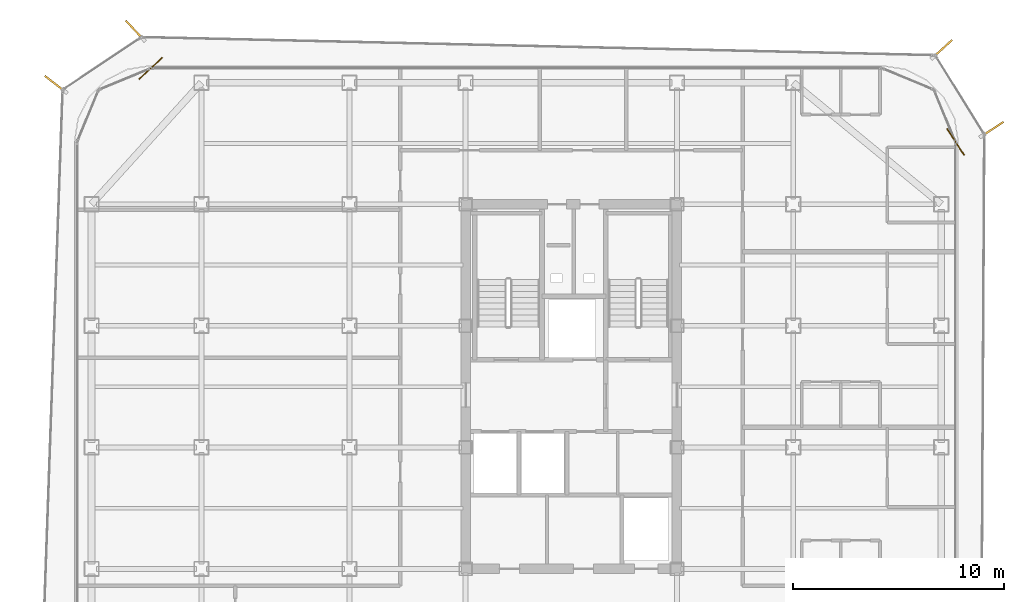
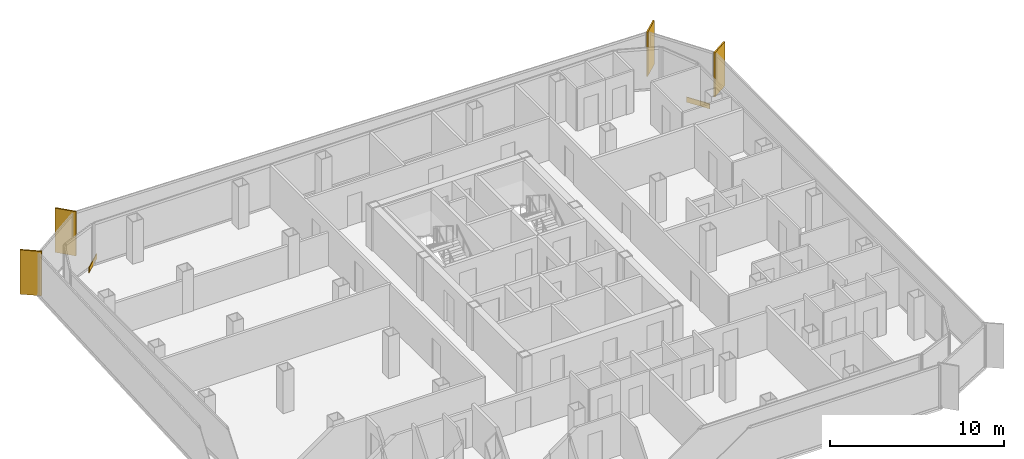
# One storey, part 16 of 16: 4 shading devices, 2 coverings.
"""IFC4 building model written with IfcOpenShell, lengths in metres."""

from ifc_helpers import new_model, si_unit, direction, frame, origin, origin_2d, place, context, subcontext, project, spatial, rectangle, extrude, source, transform, mapped, material, layer, layer_set, type_object, element, save


model = new_model("IFC4")

# Units and contexts
model_context = context("Model", 3, precision=1e-05, world=origin(), true_north=direction((0.0, 1.0)))
body_context = subcontext(model_context, "Body", "Model", "MODEL_VIEW")
ifc_project = project(units=[si_unit("LENGTHUNIT", "METRE"), si_unit("AREAUNIT", "SQUARE_METRE"), si_unit("VOLUMEUNIT", "CUBIC_METRE"), si_unit("PLANEANGLEUNIT", "RADIAN"), si_unit("MASSUNIT", "GRAM", prefix="KILO")], contexts=[model_context])

# Site, building, storey
site_placement = place(None, origin())
site = spatial("IfcSite", under=ifc_project, at=site_placement, CompositionType="ELEMENT")
building_placement = place(site_placement, origin())
building = spatial("IfcBuilding", under=site, at=building_placement, Name="Kolveth Station Tower", CompositionType="ELEMENT")
storey_placement = place(building_placement, frame((0.0, 0.0, 178.5)))
storey = spatial("IfcBuildingStorey", under=building, at=storey_placement, Name="L50", CompositionType="ELEMENT", Elevation=178.5)

# Shading devices
ifc_material_1 = material(Name="Black anodized aluminium 6063-T6", Category="aluminium")
shading_device_type = type_object("IfcShadingDeviceType", Name="FIN_VF1", PredefinedType="USERDEFINED", material=ifc_material_1)
shared_shape_1 = source(origin(), body_context, "Body", "SweptSolid", [
    extrude(rectangle(XDim=1.25, YDim=0.090087890625, at=origin_2d()), origin(), (0.0, 0.0, 1.0), 3.10009765625),
])
for number, where, z_axis, x_axis, name in (
    (1, (43.423095703125, 32.304931640625, 0.0), (0.0, 0.0, 1.0), (0.838194961444, 0.545370705676, 0.0), "L50 Dark-Aluminium Solar Fin 3"),
    (2, (41.052978515625, 36.10009765625, 0.0), (0.0, 0.0, 1.0), (0.737630973935, 0.675204077514, 0.0), "L50 Dark-Aluminium Solar Fin 4"),
    (3, (2.85107421875, 36.98095703125, 0.0), (0.0, 0.0, 1.0), (-0.682508775026, 0.730877398756, 0.0), "L50 Dark-Aluminium Solar Fin 5"),
    (4, (-0.916015625, 34.445068359375, 0.0), (0.0, 0.0, 1.0), (-0.792396121708, 0.61000687398, 0.0), "L50 Dark-Aluminium Solar Fin 6"),
):
    element("IfcShadingDevice", number, at=place(storey_placement, frame(where, z_axis=z_axis, x_axis=x_axis)), inside=storey, type_object=shading_device_type, Name=name, ObjectType="FIN", PredefinedType="USERDEFINED", context=body_context, shape_type="MappedRepresentation", body=[
        mapped(shared_shape_1, transform((0.0, 0.0, 0.0), x_axis=(1.0, 0.0, 0.0), y_axis=(0.0, 1.0, 0.0), z_axis=(0.0, 0.0, 1.0), scale=1.0)),
    ])

# Coverings
ifc_material_2 = material(Name="Charcoal anodized aluminium spandrel cladding", Category="aluminium")
ifc_layer = layer(ifc_material_2, 0.044921875)
ifc_layer_set = layer_set([ifc_layer], Name="Charcoal anodized aluminium spandrel cladding")
covering_type = type_object("IfcCoveringType", Name="Clad_CD1", PredefinedType="CLADDING", material=ifc_layer_set)
shared_shape_2 = source(origin(), body_context, "Body", "SweptSolid", [
    extrude(rectangle(XDim=1.5, YDim=0.044921875, at=origin_2d()), origin(), (0.0, 0.0, 1.0), 0.360107421875),
])
for number, where, z_axis, x_axis, name in (
    (5, (41.679931640625, 31.699951171875, 0.0), (0.0, 0.0, 1.0), (-0.545370705676, 0.838194961444, 0.0), "L50 Spandrel Edge Cladding 3"),
    (6, (3.60009765625, 35.179931640625, 0.0), (0.0, 0.0, 1.0), (-0.730877398756, -0.682508775026, 0.0), "L50 Spandrel Edge Cladding 5"),
):
    element("IfcCovering", number, at=place(storey_placement, frame(where, z_axis=z_axis, x_axis=x_axis)), inside=storey, type_object=covering_type, Name=name, PredefinedType="CLADDING", context=body_context, shape_type="MappedRepresentation", body=[
        mapped(shared_shape_2, transform((0.0, 0.0, 0.0), x_axis=(1.0, 0.0, 0.0), y_axis=(0.0, 1.0, 0.0), z_axis=(0.0, 0.0, 1.0), scale=1.0)),
    ])

save(model, "model.ifc")
